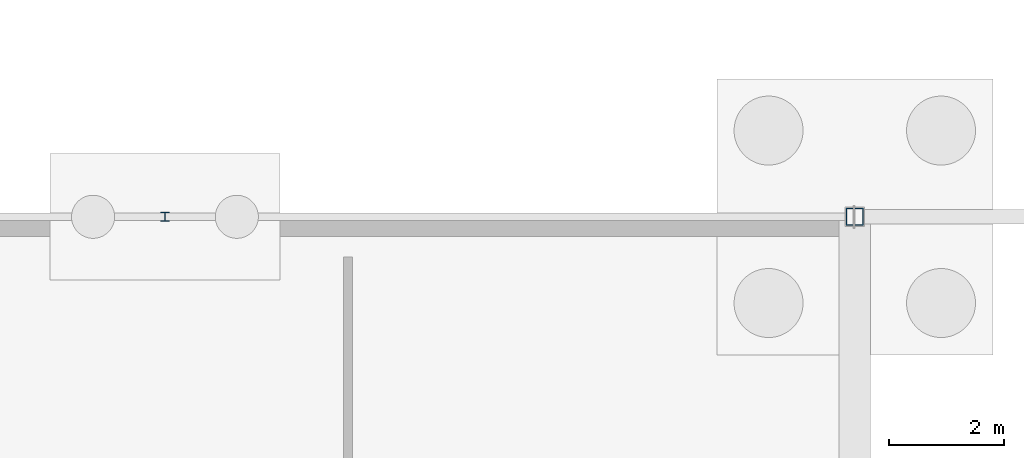
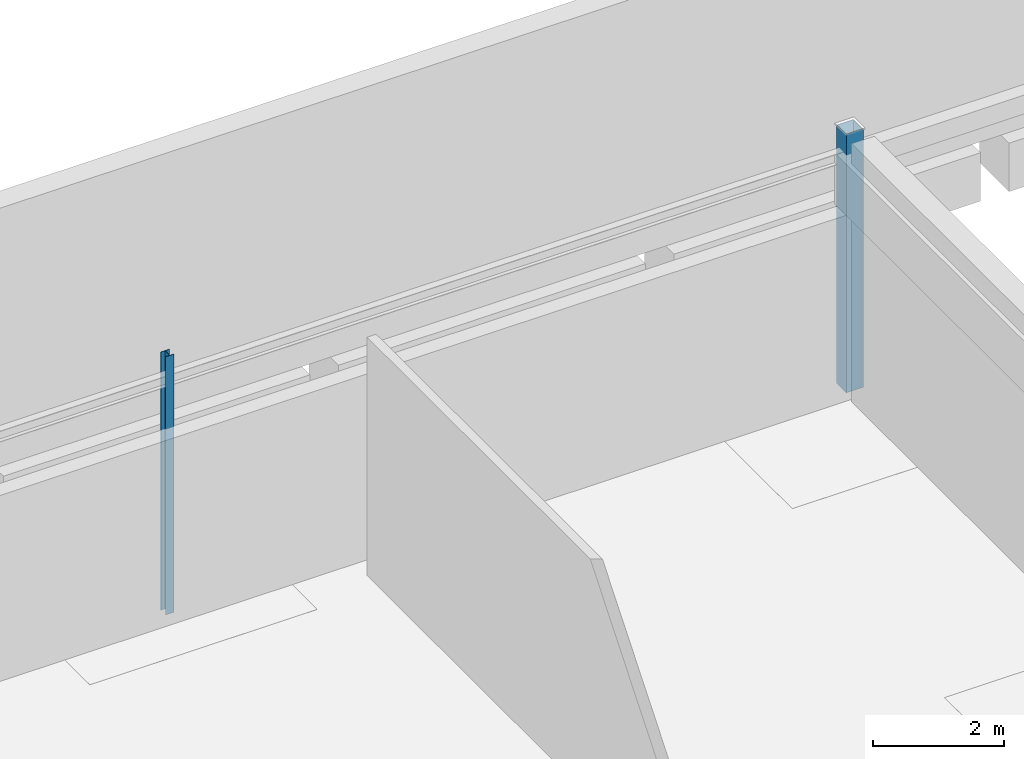
# One storey, part 74 of 136: 2 columns.
"""IFC4 building model written with IfcOpenShell, lengths in metres."""

from ifc_helpers import new_model, si_unit, direction, frame, origin, origin_2d, place, context, subcontext, project, spatial, hollow_rectangle, i_section, extrude, material, material_profile, profile_set, type_object, element, save


model = new_model("IFC4")

# Units and contexts
model_context = context("Model", 3, precision=1e-05, world=origin(), true_north=direction((0.0, 1.0)))
body_context = subcontext(model_context, "Body", "Model", "MODEL_VIEW")
ifc_project = project(units=[si_unit("LENGTHUNIT", "METRE"), si_unit("AREAUNIT", "SQUARE_METRE"), si_unit("VOLUMEUNIT", "CUBIC_METRE"), si_unit("PLANEANGLEUNIT", "RADIAN"), si_unit("MASSUNIT", "GRAM", prefix="KILO")], contexts=[model_context])

# Site, building, storey
site_placement = place(None, origin())
site = spatial("IfcSite", under=ifc_project, at=site_placement, CompositionType="ELEMENT")
building_placement = place(site_placement, origin())
building = spatial("IfcBuilding", under=site, at=building_placement, Name="Tarnwether General Hospital", CompositionType="ELEMENT")
storey_placement = place(building_placement, frame((0.0, 0.0, -4.800048828125)))
storey = spatial("IfcBuildingStorey", under=building, at=storey_placement, Name="LG", CompositionType="ELEMENT", Elevation=-4.800048828125)

# Columns
ifc_material_1 = material(Name="Steel Grade C350L0 (350 MPa)", Category="steel")
ifc_material_profile_1 = material_profile(ifc_material_1, hollow_rectangle(XDim=0.300048828125, YDim=0.300048828125, WallThickness=0.012451171875, at=origin_2d()), Name="SHS300x300x12.5")
ifc_profile_set_1 = profile_set([ifc_material_profile_1], Name="Steel Grade C350L0 (350 MPa)")
column_type_1 = type_object("IfcColumnType", Name="COL-30", PredefinedType="COLUMN", material=ifc_profile_set_1)
column_1_placement = place(storey_placement, frame((132.0, 126.0, 0.0), z_axis=(0.0, 0.0, 1.0), x_axis=(0.0, 1.0, 0.0)))
element("IfcColumn", 1, at=column_1_placement, inside=storey, type_object=column_type_1, Name="Column COLG-LG-13200_12600", PredefinedType="COLUMN", context=body_context, shape_type="SweptSolid", body=[
    extrude(hollow_rectangle(XDim=0.300048828125, YDim=0.300048828125, WallThickness=0.012451171875, at=origin_2d()), origin(), (0.0, 0.0, 1.0), 4.800048828125),
])
ifc_material_2 = material(Name="Steel Grade 350 (350 MPa)", Category="steel")
ifc_material_profile_2 = material_profile(ifc_material_2, i_section(OverallWidth=0.152099609375, OverallDepth=0.152099609375, WebThickness=0.006103515625, FlangeThickness=0.0068359375, at=origin_2d()), Name="150UC23.4")
ifc_profile_set_2 = profile_set([ifc_material_profile_2], Name="Steel Grade 350 (350 MPa)")
column_type_2 = type_object("IfcColumnType", Name="COL-32", PredefinedType="COLUMN", material=ifc_profile_set_2)
column_2_placement = place(storey_placement, frame((120.0, 126.0, 0.0), z_axis=(0.0, 0.0, 1.0), x_axis=(1.0, 0.0, 0.0)))
element("IfcColumn", 2, at=column_2_placement, inside=storey, type_object=column_type_2, Name="Column COLG-LG-12000_12600", PredefinedType="COLUMN", context=body_context, shape_type="SweptSolid", body=[
    extrude(i_section(OverallWidth=0.152099609375, OverallDepth=0.152099609375, WebThickness=0.006103515625, FlangeThickness=0.0068359375, at=origin_2d()), origin(), (0.0, 0.0, 1.0), 4.800048828125),
])

save(model, "model.ifc")
